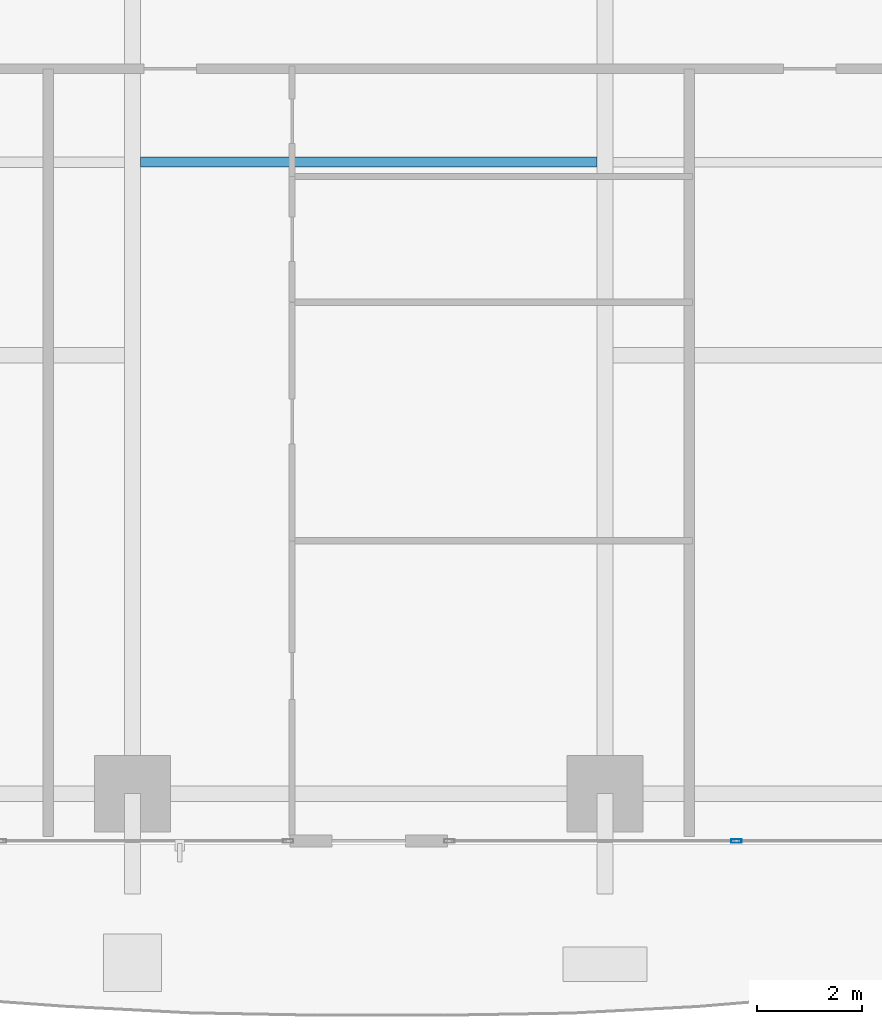
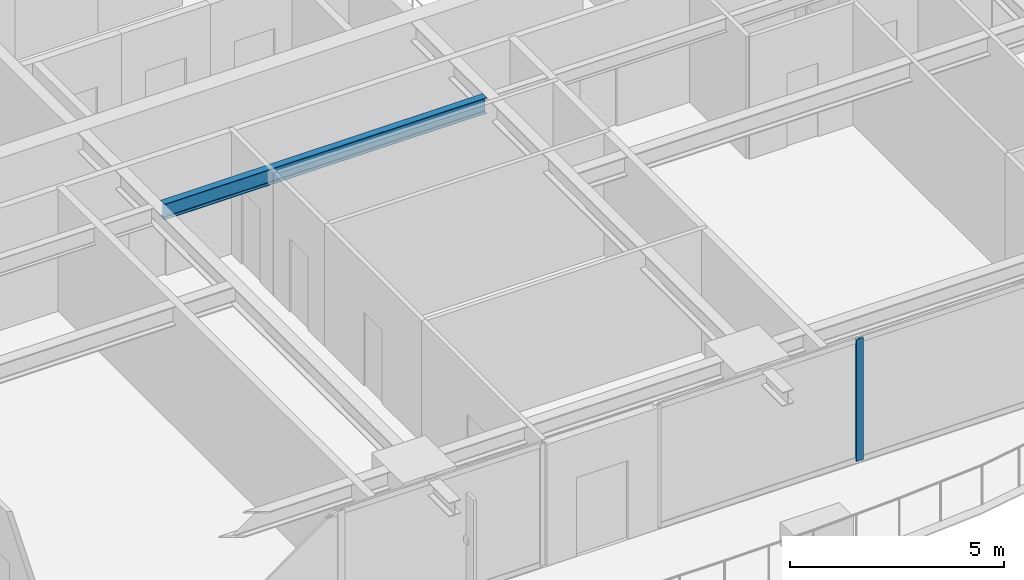
# One storey, part 10 of 39: 1 beam, 1 member, 1 element without a shape of its own.
"""IFC4 building model written with IfcOpenShell, lengths in metres."""

from ifc_helpers import new_model, si_unit, direction, frame, origin, origin_2d, place, context, subcontext, project, spatial, hollow_rectangle, i_section, extrude, source, transform, mapped, material, layer, layer_set, material_profile, profile_set, type_object, element, aggregate, save


model = new_model("IFC4")

# Units and contexts
model_context = context("Model", 3, precision=1e-05, world=origin(), true_north=direction((0.0, 1.0)))
body_context = subcontext(model_context, "Body", "Model", "MODEL_VIEW")
ifc_project = project(units=[si_unit("LENGTHUNIT", "METRE"), si_unit("AREAUNIT", "SQUARE_METRE"), si_unit("VOLUMEUNIT", "CUBIC_METRE"), si_unit("PLANEANGLEUNIT", "RADIAN"), si_unit("MASSUNIT", "GRAM", prefix="KILO")], contexts=[model_context])

# Site, building, storey
site_placement = place(None, origin())
site = spatial("IfcSite", under=ifc_project, at=site_placement, CompositionType="ELEMENT")
building_placement = place(site_placement, origin())
building = spatial("IfcBuilding", under=site, at=building_placement, Name="Serunith Strait Residences", CompositionType="ELEMENT")
storey_placement = place(building_placement, frame((0.0, 0.0, 64.199951171875)))
storey = spatial("IfcBuildingStorey", under=building, at=storey_placement, Name="L15", CompositionType="ELEMENT", Elevation=64.199951171875)

# Beam
ifc_material_1 = material(Name="Steel S355J2", Category="steel")
ifc_material_profile_1 = material_profile(ifc_material_1, i_section(OverallWidth=0.18994140625, OverallDepth=0.449951171875, WebThickness=0.009521484375, FlangeThickness=0.0146484375, FilletRadius=0.02099609375, at=origin_2d()), Name="IPE 450")
ifc_profile_set_1 = profile_set([ifc_material_profile_1], Name="Steel S355J2")
beam_type = type_object("IfcBeamType", Name="BM-IPE450", PredefinedType="JOIST", material=ifc_profile_set_1)
shared_shape_1 = source(origin(), body_context, "Body", "SweptSolid", [
    extrude(i_section(OverallWidth=0.18994140625, OverallDepth=0.449951171875, WebThickness=0.009521484375, FlangeThickness=0.0146484375, FilletRadius=0.02099609375, at=origin_2d()), origin(), (0.0, 0.0, 1.0), 8.699951171875),
])
beam_placement = place(storey_placement, frame((28.050048828125, 13.125, 3.261962890625), z_axis=(1.0, 0.0, 0.0), x_axis=(0.0, 1.0, 0.0)))
element("IfcBeam", 1, at=beam_placement, inside=storey, type_object=beam_type, Name="L15 Composite Floor Joist 02", PredefinedType="JOIST", context=body_context, shape_type="MappedRepresentation", body=[
    mapped(shared_shape_1, transform((0.0, 0.0, 0.0), scale=1.0)),
])

# Curtain wall, member
ifc_material_2 = material(Name="Pale-Champagne Anodised Aluminium", Category="aluminium")
ifc_layer = layer(ifc_material_2, 0.199951171875, Name="Pale-Champagne Anodised Aluminium")
ifc_layer_set = layer_set([ifc_layer], Name="Pale-Champagne Anodised Aluminium")
curtain_wall_type = type_object("IfcCurtainWallType", Name="CW-SYS1", PredefinedType="NOTDEFINED", material=ifc_layer_set)
curtain_wall_placement = place(storey_placement, origin())
curtain_wall = element("IfcCurtainWall", 2, at=curtain_wall_placement, inside=storey, type_object=curtain_wall_type, Name="L15 S Unitised Fritted Curtain Wall", PredefinedType="NOTDEFINED")
ifc_material_profile_2 = material_profile(ifc_material_2, hollow_rectangle(XDim=0.070068359375, YDim=0.199951171875, WallThickness=0.00390625, InnerFilletRadius=0.006103515625, OuterFilletRadius=0.010009765625, at=origin_2d()), Name="ALU 200x70x4")
ifc_profile_set_2 = profile_set([ifc_material_profile_2], Name="Pale-Champagne Anodised Aluminium")
member_type = type_object("IfcMemberType", Name="CW-SYS1-MULL", PredefinedType="MULLION", material=ifc_profile_set_2)
shared_shape_2 = source(origin(), body_context, "Body", "SweptSolid", [
    extrude(hollow_rectangle(XDim=0.070068359375, YDim=0.199951171875, WallThickness=0.00390625, InnerFilletRadius=0.006103515625, OuterFilletRadius=0.010009765625, at=origin_2d()), origin(), (0.0, 0.0, 1.0), 3.47509765625),
])
member_placement = place(storey_placement, frame((39.39990234375, 0.199951171875, 0.0), z_axis=(0.0, 0.0, 1.0), x_axis=(0.0, 1.0, 0.0)))
member = element("IfcMember", 3, at=member_placement, type_object=member_type, Name="CW-1 mullion 2", PredefinedType="MULLION", context=body_context, shape_type="MappedRepresentation", body=[
    mapped(shared_shape_2, transform((0.0, 0.0, 0.0), scale=1.0)),
])
aggregate(curtain_wall, [member])

save(model, "model.ifc")
